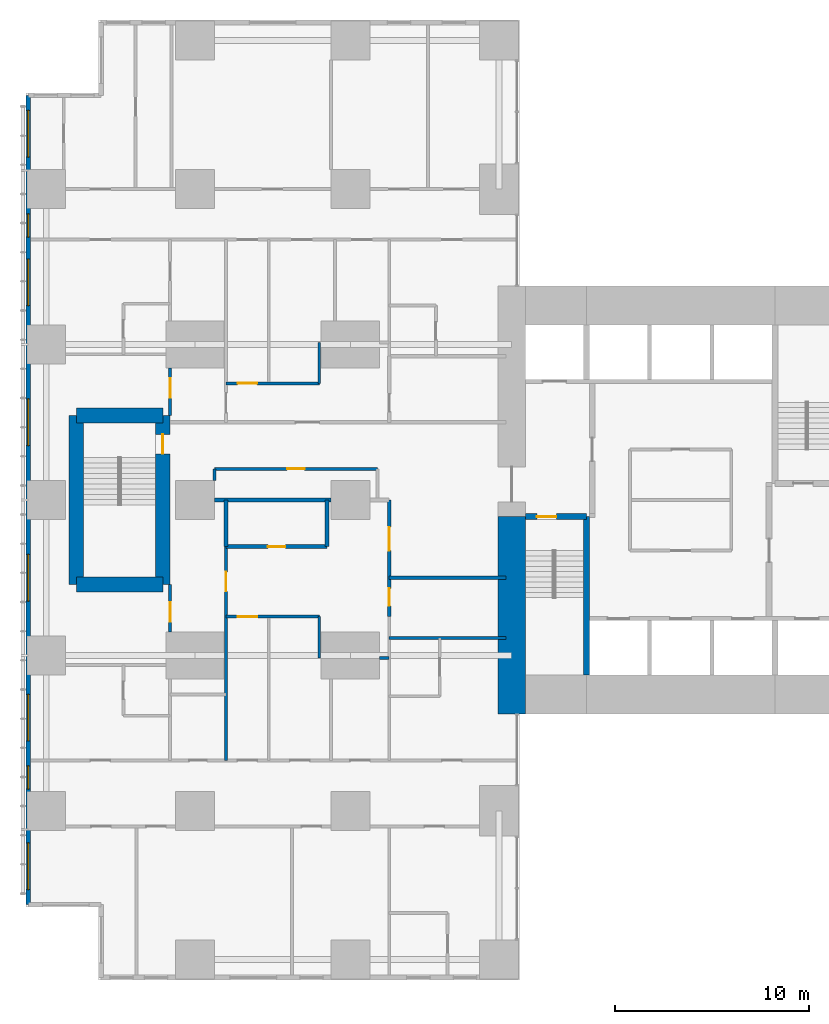
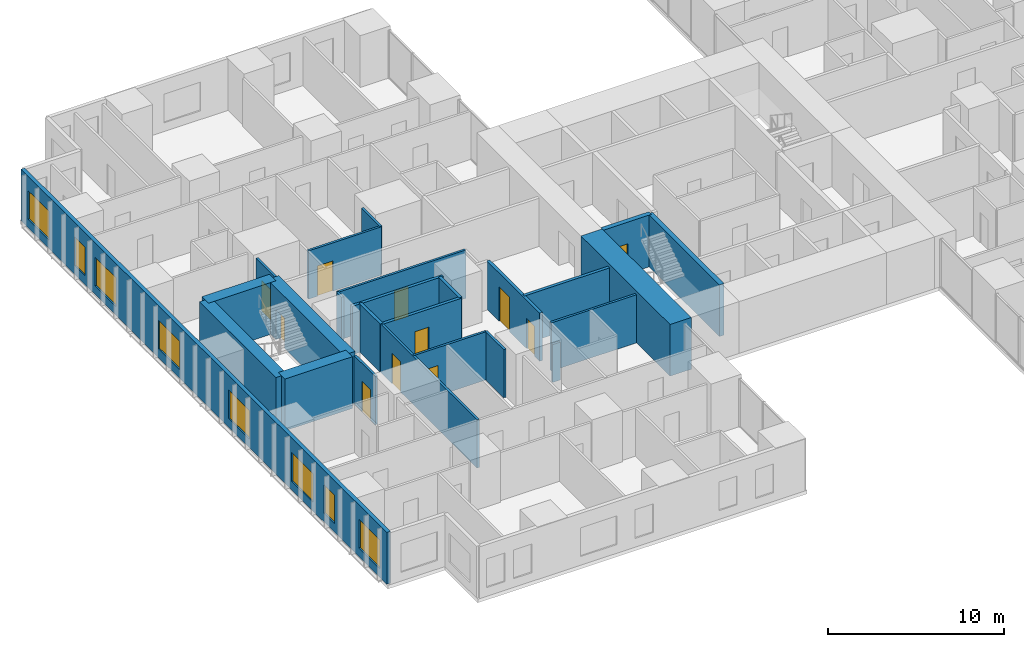
# One storey, part 13 of 21: 25 walls, 11 doors, 8 windows, 19 openings.
"""IFC4 building model written with IfcOpenShell, lengths in metres."""

from ifc_helpers import new_model, si_unit, direction, frame, frame_2d, origin, place, context, subcontext, project, spatial, rectangle, extrude, material, layer, layer_set, type_object, element, fill, save


model = new_model("IFC4")

# Units and contexts
model_context = context("Model", 3, precision=1e-05, world=origin(), true_north=direction((0.0, 1.0)))
body_context = subcontext(model_context, "Body", "Model", "MODEL_VIEW")
ifc_project = project(units=[si_unit("LENGTHUNIT", "METRE"), si_unit("AREAUNIT", "SQUARE_METRE"), si_unit("VOLUMEUNIT", "CUBIC_METRE"), si_unit("PLANEANGLEUNIT", "RADIAN"), si_unit("MASSUNIT", "GRAM", prefix="KILO")], contexts=[model_context])

# Site, building, storey
site_placement = place(None, origin())
site = spatial("IfcSite", under=ifc_project, at=site_placement, CompositionType="ELEMENT")
building_placement = place(site_placement, origin())
building = spatial("IfcBuilding", under=site, at=building_placement, Name="Cleftline Residences", CompositionType="ELEMENT")
storey_placement = place(building_placement, frame((0.0, 0.0, 58.39990234375)))
storey = spatial("IfcBuildingStorey", under=building, at=storey_placement, Name="L14", CompositionType="ELEMENT", Elevation=58.39990234375)

# Walls
ifc_material_1 = material(Name="Concrete B70", Category="concrete")
ifc_layer_1 = layer(ifc_material_1, 1.39990234375)
ifc_layer_set_1 = layer_set([ifc_layer_1], Name="CORE WALL 1400")
wall_type_1 = type_object("IfcWallType", Name="CORE WALL 1400", PredefinedType="SHEAR", material=ifc_layer_set_1)
wall_1_placement = place(storey_placement, frame((24.300048828125, 13.0, 0.0), z_axis=(0.0, 0.0, 1.0), x_axis=(0.0, 1.0, 0.0)))
element("IfcWall", 1, at=wall_1_placement, inside=storey, type_object=wall_type_1, Name="Core wall W0", PredefinedType="SHEAR", context=body_context, shape_type="SweptSolid", body=[
    extrude(rectangle(XDim=10.14990234375, YDim=1.39990234375, at=frame_2d((5.074951171875, 0.0))), origin(), (0.0, 0.0, 1.0), 3.60009765625),
])
ifc_material_2 = material(Name="Concrete B70", Category="concrete")
ifc_layer_2 = layer(ifc_material_2, 0.300048828125)
ifc_layer_set_2 = layer_set([ifc_layer_2], Name="CORE WALL 300")
wall_type_2 = type_object("IfcWallType", Name="CORE WALL 300", PredefinedType="SHEAR", material=ifc_layer_set_2)
wall_2_placement = place(storey_placement, frame((28.14990234375, 15.0, 0.0), z_axis=(0.0, 0.0, 1.0), x_axis=(0.0, 1.0, 0.0)))
element("IfcWall", 2, at=wall_2_placement, inside=storey, type_object=wall_type_2, Name="Core wall SA-E", PredefinedType="SHEAR", context=body_context, shape_type="SweptSolid", body=[
    extrude(rectangle(XDim=8.14990234375, YDim=0.300048828125, at=frame_2d((4.074951171875, 0.0))), origin(), (0.0, 0.0, 1.0), 3.60009765625),
])

# Wall, opening, door
wall_3_placement = place(storey_placement, frame((25.0, 23.14990234375, 0.0), z_axis=(0.0, 0.0, 1.0), x_axis=(1.0, 0.0, 0.0)))
wall_3 = element("IfcWall", 3, at=wall_3_placement, inside=storey, type_object=wall_type_2, Name="Core wall SA-N", PredefinedType="SHEAR", context=body_context, shape_type="SweptSolid", body=[
    extrude(rectangle(XDim=3.14990234375, YDim=0.300048828125, at=frame_2d((1.574951171875, 0.0))), origin(), (0.0, 0.0, 1.0), 3.60009765625),
])
opening_1_placement = place(wall_3_placement, frame((0.60009765625, 0.0, 0.0)))
opening_1 = element("IfcOpeningElement", 4, at=opening_1_placement, cuts=wall_3, Name="Opening D5", PredefinedType="OPENING", context=body_context, shape_type="SweptSolid", body=[
    extrude(rectangle(XDim=1.0, YDim=2.10009765625, at=frame_2d((0.5, 1.050048828125))), frame((0.0, 0.159912109375, 0.0), z_axis=(0.0, -1.0, 0.0), x_axis=(1.0, 0.0, 0.0)), (0.0, 0.0, 1.0), 0.320068359375),
])
ifc_material_3 = material(Name="Steel", Category="steel")
door_type_1 = type_object("IfcDoorType", Name="STAIR DOOR 1000X2100", OperationType="SINGLE_SWING_LEFT", PredefinedType="DOOR", material=ifc_material_3)
door_1_placement = place(opening_1_placement, origin())
door_1 = element("IfcDoor", 5, at=door_1_placement, inside=storey, type_object=door_type_1, Name="Stair A door", OperationType="SINGLE_SWING_RIGHT", OverallHeight=2.10009765625, OverallWidth=1.0, PredefinedType="DOOR", context=body_context, shape_type="SweptSolid", body=[
    extrude(rectangle(XDim=1.0, YDim=2.10009765625, at=frame_2d((0.5, 1.050048828125))), frame((0.0, 0.02490234375, 0.0), z_axis=(0.0, -1.0, 0.0), x_axis=(1.0, 0.0, 0.0)), (0.0, 0.0, 1.0), 0.050048828125),
])
fill(opening_1, door_1)

# Wall, openings, windows
ifc_material_4 = material(Name="Rendered reinforced concrete blockwork", Category="masonry")
ifc_layer_3 = layer(ifc_material_4, 0.25)
ifc_layer_set_3 = layer_set([ifc_layer_3], Name="EXTERNAL WALL 250")
wall_type_3 = type_object("IfcWallType", Name="EXTERNAL WALL 250", PredefinedType="SOLIDWALL", material=ifc_layer_set_3)
wall_4_placement = place(storey_placement, frame((-0.574951171875, 44.824951171875, 0.0), z_axis=(0.0, 0.0, 1.0), x_axis=(0.0, -1.0, 0.0)))
wall_4 = element("IfcWall", 6, at=wall_4_placement, inside=storey, type_object=wall_type_3, Name="External wall", PredefinedType="SOLIDWALL", context=body_context, shape_type="SweptSolid", body=[
    extrude(rectangle(XDim=41.64990234375, YDim=0.25, at=frame_2d((20.824951171875, 0.0))), origin(), (0.0, 0.0, 1.0), 3.60009765625),
])
opening_2_placement = place(wall_4_placement, frame((0.77490234375, 0.0, 0.60009765625)))
opening_2 = element("IfcOpeningElement", 7, at=opening_2_placement, cuts=wall_4, Name="Opening W6", PredefinedType="OPENING", context=body_context, shape_type="SweptSolid", body=[
    extrude(rectangle(XDim=2.39990234375, YDim=2.0, at=frame_2d((1.199951171875, 1.0))), frame((0.0, 0.135009765625, 0.0), z_axis=(0.0, -1.0, 0.0), x_axis=(1.0, 0.0, 0.0)), (0.0, 0.0, 1.0), 0.27001953125),
])
opening_3_placement = place(wall_4_placement, frame((6.10009765625, 0.0, 0.60009765625)))
opening_3 = element("IfcOpeningElement", 8, at=opening_3_placement, cuts=wall_4, Name="Opening W8", PredefinedType="OPENING", context=body_context, shape_type="SweptSolid", body=[
    extrude(rectangle(XDim=1.199951171875, YDim=2.0, at=frame_2d((0.60009765625, 1.0))), frame((0.0, 0.135009765625, 0.0), z_axis=(0.0, -1.0, 0.0), x_axis=(1.0, 0.0, 0.0)), (0.0, 0.0, 1.0), 0.27001953125),
])
opening_4_placement = place(wall_4_placement, frame((8.425048828125, 0.0, 0.60009765625)))
opening_4 = element("IfcOpeningElement", 9, at=opening_4_placement, cuts=wall_4, Name="Opening W6", PredefinedType="OPENING", context=body_context, shape_type="SweptSolid", body=[
    extrude(rectangle(XDim=2.39990234375, YDim=2.0, at=frame_2d((1.199951171875, 1.0))), frame((0.0, 0.135009765625, 0.0), z_axis=(0.0, -1.0, 0.0), x_axis=(1.0, 0.0, 0.0)), (0.0, 0.0, 1.0), 0.27001953125),
])
opening_5_placement = place(wall_4_placement, frame((15.625, 0.0, 0.60009765625)))
opening_5 = element("IfcOpeningElement", 10, at=opening_5_placement, cuts=wall_4, Name="Opening W6", PredefinedType="OPENING", context=body_context, shape_type="SweptSolid", body=[
    extrude(rectangle(XDim=2.39990234375, YDim=2.0, at=frame_2d((1.199951171875, 1.0))), frame((0.0, 0.135009765625, 0.0), z_axis=(0.0, -1.0, 0.0), x_axis=(1.0, 0.0, 0.0)), (0.0, 0.0, 1.0), 0.27001953125),
])
opening_6_placement = place(wall_4_placement, frame((23.625, 0.0, 0.60009765625)))
opening_6 = element("IfcOpeningElement", 11, at=opening_6_placement, cuts=wall_4, Name="Opening W6", PredefinedType="OPENING", context=body_context, shape_type="SweptSolid", body=[
    extrude(rectangle(XDim=2.39990234375, YDim=2.0, at=frame_2d((1.199951171875, 1.0))), frame((0.0, 0.135009765625, 0.0), z_axis=(0.0, -1.0, 0.0), x_axis=(1.0, 0.0, 0.0)), (0.0, 0.0, 1.0), 0.27001953125),
])
opening_7_placement = place(wall_4_placement, frame((30.824951171875, 0.0, 0.60009765625)))
opening_7 = element("IfcOpeningElement", 12, at=opening_7_placement, cuts=wall_4, Name="Opening W6", PredefinedType="OPENING", context=body_context, shape_type="SweptSolid", body=[
    extrude(rectangle(XDim=2.39990234375, YDim=2.0, at=frame_2d((1.199951171875, 1.0))), frame((0.0, 0.135009765625, 0.0), z_axis=(0.0, -1.0, 0.0), x_axis=(1.0, 0.0, 0.0)), (0.0, 0.0, 1.0), 0.27001953125),
])
opening_8_placement = place(wall_4_placement, frame((34.5, 0.0, 0.60009765625)))
opening_8 = element("IfcOpeningElement", 13, at=opening_8_placement, cuts=wall_4, Name="Opening W8", PredefinedType="OPENING", context=body_context, shape_type="SweptSolid", body=[
    extrude(rectangle(XDim=1.199951171875, YDim=2.0, at=frame_2d((0.60009765625, 1.0))), frame((0.0, 0.135009765625, 0.0), z_axis=(0.0, -1.0, 0.0), x_axis=(1.0, 0.0, 0.0)), (0.0, 0.0, 1.0), 0.27001953125),
])
opening_9_placement = place(wall_4_placement, frame((38.47509765625, 0.0, 0.60009765625)))
opening_9 = element("IfcOpeningElement", 14, at=opening_9_placement, cuts=wall_4, Name="Opening W6", PredefinedType="OPENING", context=body_context, shape_type="SweptSolid", body=[
    extrude(rectangle(XDim=2.39990234375, YDim=2.0, at=frame_2d((1.199951171875, 1.0))), frame((0.0, 0.135009765625, 0.0), z_axis=(0.0, -1.0, 0.0), x_axis=(1.0, 0.0, 0.0)), (0.0, 0.0, 1.0), 0.27001953125),
])
ifc_material_5 = material(Name="Aluminium frame, clear double glazing", Category="aluminium")
window_type_1 = type_object("IfcWindowType", Name="WINDOW 1200X2000", PartitioningType="DOUBLE_PANEL_VERTICAL", PredefinedType="WINDOW", material=ifc_material_5)
window_1_placement = place(opening_3_placement, origin())
window_1 = element("IfcWindow", 15, at=window_1_placement, inside=storey, type_object=window_type_1, Name="Window", OverallHeight=2.0, OverallWidth=1.199951171875, PartitioningType="SINGLE_PANEL", PredefinedType="WINDOW", context=body_context, shape_type="SweptSolid", body=[
    extrude(rectangle(XDim=1.199951171875, YDim=2.0, at=frame_2d((0.60009765625, 1.0))), frame((0.0, 0.030029296875, 0.0), z_axis=(0.0, -1.0, 0.0), x_axis=(1.0, 0.0, 0.0)), (0.0, 0.0, 1.0), 0.06005859375),
])
fill(opening_3, window_1)
window_2_placement = place(opening_8_placement, origin())
window_2 = element("IfcWindow", 16, at=window_2_placement, inside=storey, type_object=window_type_1, Name="Window", OverallHeight=2.0, OverallWidth=1.199951171875, PartitioningType="SINGLE_PANEL", PredefinedType="WINDOW", context=body_context, shape_type="SweptSolid", body=[
    extrude(rectangle(XDim=1.199951171875, YDim=2.0, at=frame_2d((0.60009765625, 1.0))), frame((0.0, 0.030029296875, 0.0), z_axis=(0.0, -1.0, 0.0), x_axis=(1.0, 0.0, 0.0)), (0.0, 0.0, 1.0), 0.06005859375),
])
fill(opening_8, window_2)
ifc_material_6 = material(Name="Aluminium frame, clear double glazing", Category="aluminium")
window_type_2 = type_object("IfcWindowType", Name="WINDOW 2400X2000", PartitioningType="DOUBLE_PANEL_VERTICAL", PredefinedType="WINDOW", material=ifc_material_6)
window_3_placement = place(opening_2_placement, origin())
window_3 = element("IfcWindow", 17, at=window_3_placement, inside=storey, type_object=window_type_2, Name="Window", OverallHeight=2.0, OverallWidth=2.39990234375, PartitioningType="SINGLE_PANEL", PredefinedType="WINDOW", context=body_context, shape_type="SweptSolid", body=[
    extrude(rectangle(XDim=2.39990234375, YDim=2.0, at=frame_2d((1.199951171875, 1.0))), frame((0.0, 0.030029296875, 0.0), z_axis=(0.0, -1.0, 0.0), x_axis=(1.0, 0.0, 0.0)), (0.0, 0.0, 1.0), 0.06005859375),
])
fill(opening_2, window_3)
window_4_placement = place(opening_4_placement, origin())
window_4 = element("IfcWindow", 18, at=window_4_placement, inside=storey, type_object=window_type_2, Name="Window", OverallHeight=2.0, OverallWidth=2.39990234375, PartitioningType="SINGLE_PANEL", PredefinedType="WINDOW", context=body_context, shape_type="SweptSolid", body=[
    extrude(rectangle(XDim=2.39990234375, YDim=2.0, at=frame_2d((1.199951171875, 1.0))), frame((0.0, 0.030029296875, 0.0), z_axis=(0.0, -1.0, 0.0), x_axis=(1.0, 0.0, 0.0)), (0.0, 0.0, 1.0), 0.06005859375),
])
fill(opening_4, window_4)
window_5_placement = place(opening_5_placement, origin())
window_5 = element("IfcWindow", 19, at=window_5_placement, inside=storey, type_object=window_type_2, Name="Window", OverallHeight=2.0, OverallWidth=2.39990234375, PartitioningType="SINGLE_PANEL", PredefinedType="WINDOW", context=body_context, shape_type="SweptSolid", body=[
    extrude(rectangle(XDim=2.39990234375, YDim=2.0, at=frame_2d((1.199951171875, 1.0))), frame((0.0, 0.030029296875, 0.0), z_axis=(0.0, -1.0, 0.0), x_axis=(1.0, 0.0, 0.0)), (0.0, 0.0, 1.0), 0.06005859375),
])
fill(opening_5, window_5)
window_6_placement = place(opening_6_placement, origin())
window_6 = element("IfcWindow", 20, at=window_6_placement, inside=storey, type_object=window_type_2, Name="Window", OverallHeight=2.0, OverallWidth=2.39990234375, PartitioningType="SINGLE_PANEL", PredefinedType="WINDOW", context=body_context, shape_type="SweptSolid", body=[
    extrude(rectangle(XDim=2.39990234375, YDim=2.0, at=frame_2d((1.199951171875, 1.0))), frame((0.0, 0.030029296875, 0.0), z_axis=(0.0, -1.0, 0.0), x_axis=(1.0, 0.0, 0.0)), (0.0, 0.0, 1.0), 0.06005859375),
])
fill(opening_6, window_6)
window_7_placement = place(opening_7_placement, origin())
window_7 = element("IfcWindow", 21, at=window_7_placement, inside=storey, type_object=window_type_2, Name="Window", OverallHeight=2.0, OverallWidth=2.39990234375, PartitioningType="SINGLE_PANEL", PredefinedType="WINDOW", context=body_context, shape_type="SweptSolid", body=[
    extrude(rectangle(XDim=2.39990234375, YDim=2.0, at=frame_2d((1.199951171875, 1.0))), frame((0.0, 0.030029296875, 0.0), z_axis=(0.0, -1.0, 0.0), x_axis=(1.0, 0.0, 0.0)), (0.0, 0.0, 1.0), 0.06005859375),
])
fill(opening_7, window_7)
window_8_placement = place(opening_9_placement, origin())
window_8 = element("IfcWindow", 22, at=window_8_placement, inside=storey, type_object=window_type_2, Name="Window", OverallHeight=2.0, OverallWidth=2.39990234375, PartitioningType="SINGLE_PANEL", PredefinedType="WINDOW", context=body_context, shape_type="SweptSolid", body=[
    extrude(rectangle(XDim=2.39990234375, YDim=2.0, at=frame_2d((1.199951171875, 1.0))), frame((0.0, 0.030029296875, 0.0), z_axis=(0.0, -1.0, 0.0), x_axis=(1.0, 0.0, 0.0)), (0.0, 0.0, 1.0), 0.06005859375),
])
fill(opening_9, window_8)

# Wall
ifc_material_7 = material(Name="Concrete blockwork, fire rated", Category="masonry")
ifc_layer_4 = layer(ifc_material_7, 0.199951171875)
ifc_layer_set_4 = layer_set([ifc_layer_4], Name="FIRE WALL 200")
wall_type_4 = type_object("IfcWallType", Name="FIRE WALL 200", PredefinedType="PARTITIONING", material=ifc_layer_set_4)
wall_5_placement = place(storey_placement, frame((18.0, 20.0, 0.0), z_axis=(0.0, 0.0, 1.0), x_axis=(1.0, 0.0, 0.0)))
element("IfcWall", 23, at=wall_5_placement, inside=storey, type_object=wall_type_4, Name="Fire separating wall", PredefinedType="PARTITIONING", context=body_context, shape_type="SweptSolid", body=[
    extrude(rectangle(XDim=6.0, YDim=0.199951171875, at=frame_2d((3.0, 0.0))), origin(), (0.0, 0.0, 1.0), 3.35009765625),
])

# Wall, opening, door
wall_6_placement = place(storey_placement, frame((9.60009765625, 21.60009765625, 0.0), z_axis=(0.0, 0.0, 1.0), x_axis=(1.0, 0.0, 0.0)))
wall_6 = element("IfcWall", 24, at=wall_6_placement, inside=storey, type_object=wall_type_4, Name="Fire separating wall", PredefinedType="PARTITIONING", context=body_context, shape_type="SweptSolid", body=[
    extrude(rectangle(XDim=5.199951171875, YDim=0.199951171875, at=frame_2d((2.60009765625, 0.0))), origin(), (0.0, 0.0, 1.0), 3.35009765625),
])
opening_10_placement = place(wall_6_placement, frame((2.14990234375, 0.0, 0.0)))
opening_10 = element("IfcOpeningElement", 25, at=opening_10_placement, cuts=wall_6, Name="Opening D1F30", PredefinedType="OPENING", context=body_context, shape_type="SweptSolid", body=[
    extrude(rectangle(XDim=0.89990234375, YDim=2.10009765625, at=frame_2d((0.449951171875, 1.050048828125))), frame((0.0, 0.10986328125, 0.0), z_axis=(0.0, -1.0, 0.0), x_axis=(1.0, 0.0, 0.0)), (0.0, 0.0, 1.0), 0.219970703125),
])
ifc_material_8 = material(Name="Timber veneer on solid core", Category="wood")
door_type_2 = type_object("IfcDoorType", Name="DOOR 900X2100 EI 30", OperationType="SINGLE_SWING_LEFT", PredefinedType="DOOR", material=ifc_material_8)
door_2_placement = place(opening_10_placement, origin())
door_2 = element("IfcDoor", 26, at=door_2_placement, inside=storey, type_object=door_type_2, Name="Door to cloakroom wc", OperationType="SINGLE_SWING_LEFT", OverallHeight=2.10009765625, OverallWidth=0.89990234375, PredefinedType="DOOR", context=body_context, shape_type="SweptSolid", body=[
    extrude(rectangle(XDim=0.89990234375, YDim=2.10009765625, at=frame_2d((0.449951171875, 1.050048828125))), frame((0.0, 0.02490234375, 0.0), z_axis=(0.0, -1.0, 0.0), x_axis=(1.0, 0.0, 0.0)), (0.0, 0.0, 1.0), 0.050048828125),
])
fill(opening_10, door_2)

# Walls
wall_7_placement = place(storey_placement, frame((9.0, 24.0, 0.0), z_axis=(0.0, 0.0, 1.0), x_axis=(1.0, 0.0, 0.0)))
element("IfcWall", 27, at=wall_7_placement, inside=storey, type_object=wall_type_4, Name="Fire separating wall", PredefinedType="PARTITIONING", context=body_context, shape_type="SweptSolid", body=[
    extrude(rectangle(XDim=6.0, YDim=0.199951171875, at=frame_2d((3.0, 0.0))), origin(), (0.0, 0.0, 1.0), 3.35009765625),
])
for number, where, z_axis, x_axis, name in (
    (28, (9.60009765625, 21.60009765625, 0.0), (0.0, 0.0, 1.0), (0.0, 1.0, 0.0), "Fire separating wall"),
    (29, (14.800048828125, 21.60009765625, 0.0), (0.0, 0.0, 1.0), (0.0, 1.0, 0.0), "Fire separating wall"),
):
    element("IfcWall", number, at=place(storey_placement, frame(where, z_axis=z_axis, x_axis=x_axis)), inside=storey, type_object=wall_type_4, Name=name, PredefinedType="PARTITIONING", context=body_context, shape_type="SweptSolid", body=[
        extrude(rectangle(XDim=2.39990234375, YDim=0.199951171875, at=frame_2d((1.199951171875, 0.0))), origin(), (0.0, 0.0, 1.0), 3.35009765625),
    ])

# Wall, openings, doors
wall_8_placement = place(storey_placement, frame((18.0, 18.0, 0.0), z_axis=(0.0, 0.0, 1.0), x_axis=(0.0, 1.0, 0.0)))
wall_8 = element("IfcWall", 30, at=wall_8_placement, inside=storey, type_object=wall_type_4, Name="Fire separating wall", PredefinedType="PARTITIONING", context=body_context, shape_type="SweptSolid", body=[
    extrude(rectangle(XDim=6.0, YDim=0.199951171875, at=frame_2d((3.0, 0.0))), origin(), (0.0, 0.0, 1.0), 3.35009765625),
])
opening_11_placement = place(wall_8_placement, frame((3.39990234375, 0.0, 0.0)))
opening_11 = element("IfcOpeningElement", 31, at=opening_11_placement, cuts=wall_8, Name="Opening D4", PredefinedType="OPENING", context=body_context, shape_type="SweptSolid", body=[
    extrude(rectangle(XDim=1.199951171875, YDim=2.39990234375, at=frame_2d((0.60009765625, 1.199951171875))), frame((0.0, 0.10986328125, 0.0), z_axis=(0.0, -1.0, 0.0), x_axis=(1.0, 0.0, 0.0)), (0.0, 0.0, 1.0), 0.219970703125),
])
opening_12_placement = place(wall_8_placement, frame((0.550048828125, 0.0, 0.0)))
opening_12 = element("IfcOpeningElement", 32, at=opening_12_placement, cuts=wall_8, Name="Opening D1F30", PredefinedType="OPENING", context=body_context, shape_type="SweptSolid", body=[
    extrude(rectangle(XDim=0.89990234375, YDim=2.10009765625, at=frame_2d((0.449951171875, 1.050048828125))), frame((0.0, 0.10986328125, 0.0), z_axis=(0.0, -1.0, 0.0), x_axis=(1.0, 0.0, 0.0)), (0.0, 0.0, 1.0), 0.219970703125),
])
ifc_material_9 = material(Name="Timber veneer on solid core", Category="wood")
door_type_3 = type_object("IfcDoorType", Name="APARTMENT ENTRANCE DOOR 1200X2400", OperationType="SINGLE_SWING_RIGHT", PredefinedType="DOOR", material=ifc_material_9)
door_3_placement = place(opening_11_placement, origin())
door_3 = element("IfcDoor", 33, at=door_3_placement, inside=storey, type_object=door_type_3, Name="Door to residence entrance foyer", OperationType="SINGLE_SWING_LEFT", OverallHeight=2.39990234375, OverallWidth=1.199951171875, PredefinedType="DOOR", context=body_context, shape_type="SweptSolid", body=[
    extrude(rectangle(XDim=1.199951171875, YDim=2.39990234375, at=frame_2d((0.60009765625, 1.199951171875))), frame((0.0, 0.02490234375, 0.0), z_axis=(0.0, -1.0, 0.0), x_axis=(1.0, 0.0, 0.0)), (0.0, 0.0, 1.0), 0.050048828125),
])
fill(opening_11, door_3)
door_4_placement = place(opening_12_placement, origin())
door_4 = element("IfcDoor", 34, at=door_4_placement, inside=storey, type_object=door_type_2, Name="Door to laundry", OperationType="SINGLE_SWING_RIGHT", OverallHeight=2.10009765625, OverallWidth=0.89990234375, PredefinedType="DOOR", context=body_context, shape_type="SweptSolid", body=[
    extrude(rectangle(XDim=0.89990234375, YDim=2.10009765625, at=frame_2d((0.449951171875, 1.050048828125))), frame((0.0, 0.02490234375, 0.0), z_axis=(0.0, -1.0, 0.0), x_axis=(1.0, 0.0, 0.0)), (0.0, 0.0, 1.0), 0.050048828125),
])
fill(opening_12, door_4)

# Walls
ifc_material_10 = material(Name="Gypsum board on steel studs", Category="steel")
ifc_layer_5 = layer(ifc_material_10, 0.14990234375)
ifc_layer_set_5 = layer_set([ifc_layer_5], Name="PARTITION 150")
wall_type_5 = type_object("IfcWallType", Name="PARTITION 150", PredefinedType="PARTITIONING", material=ifc_layer_set_5)
wall_9_placement = place(storey_placement, frame((17.5, 15.875, 0.0), z_axis=(0.0, 0.0, 1.0), x_axis=(1.0, 0.0, 0.0)))
element("IfcWall", 35, at=wall_9_placement, inside=storey, type_object=wall_type_5, Name="Partition", PredefinedType="PARTITIONING", context=body_context, shape_type="SweptSolid", body=[
    extrude(rectangle(XDim=0.5, YDim=0.14990234375, at=frame_2d((0.25, 0.0))), origin(), (0.0, 0.0, 1.0), 2.634033203125),
])
wall_10_placement = place(storey_placement, frame((18.0, 16.89990234375, 0.0), z_axis=(0.0, 0.0, 1.0), x_axis=(1.0, 0.0, 0.0)))
element("IfcWall", 36, at=wall_10_placement, inside=storey, type_object=wall_type_5, Name="Partition", PredefinedType="PARTITIONING", context=body_context, shape_type="SweptSolid", body=[
    extrude(rectangle(XDim=6.0, YDim=0.14990234375, at=frame_2d((3.0, 0.0))), origin(), (0.0, 0.0, 1.0), 3.35009765625),
])

# Wall, opening, door
wall_11_placement = place(storey_placement, frame((9.60009765625, 18.0, 0.0), z_axis=(0.0, 0.0, 1.0), x_axis=(1.0, 0.0, 0.0)))
wall_11 = element("IfcWall", 37, at=wall_11_placement, inside=storey, type_object=wall_type_5, Name="Partition", PredefinedType="PARTITIONING", context=body_context, shape_type="SweptSolid", body=[
    extrude(rectangle(XDim=4.7998046875, YDim=0.14990234375, at=frame_2d((2.39990234375, 0.0))), origin(), (0.0, 0.0, 1.0), 3.35009765625),
])
opening_13_placement = place(wall_11_placement, frame((0.60009765625, 0.0, 0.0)))
opening_13 = element("IfcOpeningElement", 38, at=opening_13_placement, cuts=wall_11, Name="Opening D2", PredefinedType="OPENING", context=body_context, shape_type="SweptSolid", body=[
    extrude(rectangle(XDim=1.0, YDim=2.10009765625, at=frame_2d((0.5, 1.050048828125))), frame((0.0, 0.0849609375, 0.0), z_axis=(0.0, -1.0, 0.0), x_axis=(1.0, 0.0, 0.0)), (0.0, 0.0, 1.0), 0.169921875),
])
ifc_material_11 = material(Name="Timber veneer on solid core", Category="wood")
door_type_4 = type_object("IfcDoorType", Name="DOOR 1000X2100", OperationType="SINGLE_SWING_LEFT", PredefinedType="DOOR", material=ifc_material_11)
door_5_placement = place(opening_13_placement, origin())
door_5 = element("IfcDoor", 39, at=door_5_placement, inside=storey, type_object=door_type_4, Name="Door to residence passage", OperationType="SINGLE_SWING_RIGHT", OverallHeight=2.10009765625, OverallWidth=1.0, PredefinedType="DOOR", context=body_context, shape_type="SweptSolid", body=[
    extrude(rectangle(XDim=1.0, YDim=2.10009765625, at=frame_2d((0.5, 1.050048828125))), frame((0.0, 0.02490234375, 0.0), z_axis=(0.0, -1.0, 0.0), x_axis=(1.0, 0.0, 0.0)), (0.0, 0.0, 1.0), 0.050048828125),
])
fill(opening_13, door_5)

wall_12_placement = place(storey_placement, frame((9.0, 25.60009765625, 0.0), z_axis=(0.0, 0.0, 1.0), x_axis=(1.0, 0.0, 0.0)))
wall_12 = element("IfcWall", 40, at=wall_12_placement, inside=storey, type_object=wall_type_5, Name="Partition", PredefinedType="PARTITIONING", context=body_context, shape_type="SweptSolid", body=[
    extrude(rectangle(XDim=8.39990234375, YDim=0.14990234375, at=frame_2d((4.199951171875, 0.0))), origin(), (0.0, 0.0, 1.0), 3.35009765625),
])
opening_14_placement = place(wall_12_placement, frame((3.75, 0.0, 0.0)))
opening_14 = element("IfcOpeningElement", 41, at=opening_14_placement, cuts=wall_12, Name="Opening D1", PredefinedType="OPENING", context=body_context, shape_type="SweptSolid", body=[
    extrude(rectangle(XDim=0.89990234375, YDim=2.10009765625, at=frame_2d((0.449951171875, 1.050048828125))), frame((0.0, 0.0849609375, 0.0), z_axis=(0.0, -1.0, 0.0), x_axis=(1.0, 0.0, 0.0)), (0.0, 0.0, 1.0), 0.169921875),
])
ifc_material_12 = material(Name="Timber veneer on solid core", Category="wood")
door_type_5 = type_object("IfcDoorType", Name="DOOR 900X2100", OperationType="SINGLE_SWING_LEFT", PredefinedType="DOOR", material=ifc_material_12)
door_6_placement = place(opening_14_placement, origin())
door_6 = element("IfcDoor", 42, at=door_6_placement, inside=storey, type_object=door_type_5, Name="Door to residents' locker room", OperationType="SINGLE_SWING_LEFT", OverallHeight=2.10009765625, OverallWidth=0.89990234375, PredefinedType="DOOR", context=body_context, shape_type="SweptSolid", body=[
    extrude(rectangle(XDim=0.89990234375, YDim=2.10009765625, at=frame_2d((0.449951171875, 1.050048828125))), frame((0.0, 0.02490234375, 0.0), z_axis=(0.0, -1.0, 0.0), x_axis=(1.0, 0.0, 0.0)), (0.0, 0.0, 1.0), 0.050048828125),
])
fill(opening_14, door_6)

wall_13_placement = place(storey_placement, frame((9.60009765625, 30.0, 0.0), z_axis=(0.0, 0.0, 1.0), x_axis=(1.0, 0.0, 0.0)))
wall_13 = element("IfcWall", 43, at=wall_13_placement, inside=storey, type_object=wall_type_5, Name="Partition", PredefinedType="PARTITIONING", context=body_context, shape_type="SweptSolid", body=[
    extrude(rectangle(XDim=4.7998046875, YDim=0.14990234375, at=frame_2d((2.39990234375, 0.0))), origin(), (0.0, 0.0, 1.0), 3.35009765625),
])
opening_15_placement = place(wall_13_placement, frame((0.60009765625, 0.0, 0.0)))
opening_15 = element("IfcOpeningElement", 44, at=opening_15_placement, cuts=wall_13, Name="Opening D2", PredefinedType="OPENING", context=body_context, shape_type="SweptSolid", body=[
    extrude(rectangle(XDim=1.0, YDim=2.10009765625, at=frame_2d((0.5, 1.050048828125))), frame((0.0, 0.0849609375, 0.0), z_axis=(0.0, -1.0, 0.0), x_axis=(1.0, 0.0, 0.0)), (0.0, 0.0, 1.0), 0.169921875),
])
door_7_placement = place(opening_15_placement, origin())
door_7 = element("IfcDoor", 45, at=door_7_placement, inside=storey, type_object=door_type_4, Name="Door to residence passage", OperationType="SINGLE_SWING_RIGHT", OverallHeight=2.10009765625, OverallWidth=1.0, PredefinedType="DOOR", context=body_context, shape_type="SweptSolid", body=[
    extrude(rectangle(XDim=1.0, YDim=2.10009765625, at=frame_2d((0.5, 1.050048828125))), frame((0.0, 0.02490234375, 0.0), z_axis=(0.0, -1.0, 0.0), x_axis=(1.0, 0.0, 0.0)), (0.0, 0.0, 1.0), 0.050048828125),
])
fill(opening_15, door_7)

wall_14_placement = place(storey_placement, frame((6.72509765625, 17.199951171875, 0.0), z_axis=(0.0, 0.0, 1.0), x_axis=(0.0, 1.0, 0.0)))
wall_14 = element("IfcWall", 46, at=wall_14_placement, inside=storey, type_object=wall_type_5, Name="Partition", PredefinedType="PARTITIONING", context=body_context, shape_type="SweptSolid", body=[
    extrude(rectangle(XDim=2.449951171875, YDim=0.14990234375, at=frame_2d((1.22509765625, 0.0))), origin(), (0.0, 0.0, 1.0), 3.35009765625),
])
opening_16_placement = place(wall_14_placement, frame((0.53759765625, 0.0, 0.0)))
opening_16 = element("IfcOpeningElement", 47, at=opening_16_placement, cuts=wall_14, Name="Opening D2", PredefinedType="OPENING", context=body_context, shape_type="SweptSolid", body=[
    extrude(rectangle(XDim=1.0, YDim=2.10009765625, at=frame_2d((0.5, 1.050048828125))), frame((0.0, 0.0849609375, 0.0), z_axis=(0.0, -1.0, 0.0), x_axis=(1.0, 0.0, 0.0)), (0.0, 0.0, 1.0), 0.169921875),
])
door_8_placement = place(opening_16_placement, origin())
door_8 = element("IfcDoor", 48, at=door_8_placement, inside=storey, type_object=door_type_4, Name="Door to staff bedroom", OperationType="SINGLE_SWING_RIGHT", OverallHeight=2.10009765625, OverallWidth=1.0, PredefinedType="DOOR", context=body_context, shape_type="SweptSolid", body=[
    extrude(rectangle(XDim=1.0, YDim=2.10009765625, at=frame_2d((0.5, 1.050048828125))), frame((0.0, 0.02490234375, 0.0), z_axis=(0.0, -1.0, 0.0), x_axis=(1.0, 0.0, 0.0)), (0.0, 0.0, 1.0), 0.050048828125),
])
fill(opening_16, door_8)

wall_15_placement = place(storey_placement, frame((6.72509765625, 28.35009765625, 0.0), z_axis=(0.0, 0.0, 1.0), x_axis=(0.0, 1.0, 0.0)))
wall_15 = element("IfcWall", 49, at=wall_15_placement, inside=storey, type_object=wall_type_5, Name="Partition", PredefinedType="PARTITIONING", context=body_context, shape_type="SweptSolid", body=[
    extrude(rectangle(XDim=2.449951171875, YDim=0.14990234375, at=frame_2d((1.22509765625, 0.0))), origin(), (0.0, 0.0, 1.0), 3.35009765625),
])
opening_17_placement = place(wall_15_placement, frame((0.91259765625, 0.0, 0.0)))
opening_17 = element("IfcOpeningElement", 50, at=opening_17_placement, cuts=wall_15, Name="Opening D2", PredefinedType="OPENING", context=body_context, shape_type="SweptSolid", body=[
    extrude(rectangle(XDim=1.0, YDim=2.10009765625, at=frame_2d((0.5, 1.050048828125))), frame((0.0, 0.0849609375, 0.0), z_axis=(0.0, -1.0, 0.0), x_axis=(1.0, 0.0, 0.0)), (0.0, 0.0, 1.0), 0.169921875),
])
door_9_placement = place(opening_17_placement, origin())
door_9 = element("IfcDoor", 51, at=door_9_placement, inside=storey, type_object=door_type_4, Name="Door to altar room", OperationType="SINGLE_SWING_LEFT", OverallHeight=2.10009765625, OverallWidth=1.0, PredefinedType="DOOR", context=body_context, shape_type="SweptSolid", body=[
    extrude(rectangle(XDim=1.0, YDim=2.10009765625, at=frame_2d((0.5, 1.050048828125))), frame((0.0, 0.02490234375, 0.0), z_axis=(0.0, -1.0, 0.0), x_axis=(1.0, 0.0, 0.0)), (0.0, 0.0, 1.0), 0.050048828125),
])
fill(opening_17, door_9)

# Wall
wall_16_placement = place(storey_placement, frame((9.0, 25.0, 0.0), z_axis=(0.0, 0.0, 1.0), x_axis=(0.0, 1.0, 0.0)))
element("IfcWall", 52, at=wall_16_placement, inside=storey, type_object=wall_type_5, Name="Partition", PredefinedType="PARTITIONING", context=body_context, shape_type="SweptSolid", body=[
    extrude(rectangle(XDim=0.60009765625, YDim=0.14990234375, at=frame_2d((0.300048828125, 0.0))), origin(), (0.0, 0.0, 1.0), 3.35009765625),
])

# Wall, opening, door
wall_17_placement = place(storey_placement, frame((9.60009765625, 10.60009765625, 0.0), z_axis=(0.0, 0.0, 1.0), x_axis=(0.0, 1.0, 0.0)))
wall_17 = element("IfcWall", 53, at=wall_17_placement, inside=storey, type_object=wall_type_5, Name="Partition", PredefinedType="PARTITIONING", context=body_context, shape_type="SweptSolid", body=[
    extrude(rectangle(XDim=11.0, YDim=0.14990234375, at=frame_2d((5.5, 0.0))), origin(), (0.0, 0.0, 1.0), 3.35009765625),
])
opening_18_placement = place(wall_17_placement, frame((8.699951171875, 0.0, 0.0)))
opening_18 = element("IfcOpeningElement", 54, at=opening_18_placement, cuts=wall_17, Name="Opening D2F30", PredefinedType="OPENING", context=body_context, shape_type="SweptSolid", body=[
    extrude(rectangle(XDim=1.0, YDim=2.10009765625, at=frame_2d((0.5, 1.050048828125))), frame((0.0, 0.0849609375, 0.0), z_axis=(0.0, -1.0, 0.0), x_axis=(1.0, 0.0, 0.0)), (0.0, 0.0, 1.0), 0.169921875),
])
ifc_material_13 = material(Name="Timber veneer on solid core", Category="wood")
door_type_6 = type_object("IfcDoorType", Name="DOOR 1000X2100 EI 30", OperationType="SINGLE_SWING_LEFT", PredefinedType="DOOR", material=ifc_material_13)
door_10_placement = place(opening_18_placement, origin())
door_10 = element("IfcDoor", 55, at=door_10_placement, inside=storey, type_object=door_type_6, Name="Door to residence lobby (service)", OperationType="SINGLE_SWING_LEFT", OverallHeight=2.10009765625, OverallWidth=1.0, PredefinedType="DOOR", context=body_context, shape_type="SweptSolid", body=[
    extrude(rectangle(XDim=1.0, YDim=2.10009765625, at=frame_2d((0.5, 1.050048828125))), frame((0.0, 0.02490234375, 0.0), z_axis=(0.0, -1.0, 0.0), x_axis=(1.0, 0.0, 0.0)), (0.0, 0.0, 1.0), 0.050048828125),
])
fill(opening_18, door_10)

# Walls
wall_18_placement = place(storey_placement, frame((14.39990234375, 15.875, 0.0), z_axis=(0.0, 0.0, 1.0), x_axis=(0.0, 1.0, 0.0)))
element("IfcWall", 56, at=wall_18_placement, inside=storey, type_object=wall_type_5, Name="Partition", PredefinedType="PARTITIONING", context=body_context, shape_type="SweptSolid", body=[
    extrude(rectangle(XDim=2.125, YDim=0.14990234375, at=frame_2d((1.0625, 0.0))), origin(), (0.0, 0.0, 1.0), 3.35009765625),
])
wall_19_placement = place(storey_placement, frame((14.39990234375, 30.0, 0.0), z_axis=(0.0, 0.0, 1.0), x_axis=(0.0, 1.0, 0.0)))
element("IfcWall", 57, at=wall_19_placement, inside=storey, type_object=wall_type_5, Name="Partition", PredefinedType="PARTITIONING", context=body_context, shape_type="SweptSolid", body=[
    extrude(rectangle(XDim=2.10009765625, YDim=0.14990234375, at=frame_2d((1.050048828125, 0.0))), origin(), (0.0, 0.0, 1.0), 3.35009765625),
])
ifc_material_14 = material(Name="Concrete B70", Category="concrete")
ifc_layer_6 = layer(ifc_material_14, 0.75)
ifc_layer_set_6 = layer_set([ifc_layer_6], Name="SHEAR WALL 750")
wall_type_6 = type_object("IfcWallType", Name="SHEAR WALL 750", PredefinedType="SHEAR", material=ifc_layer_set_6)
wall_20_placement = place(storey_placement, frame((1.89990234375, 19.64990234375, 0.0), z_axis=(0.0, 0.0, 1.0), x_axis=(1.0, 0.0, 0.0)))
element("IfcWall", 58, at=wall_20_placement, inside=storey, type_object=wall_type_6, Name="Wing shear wall", PredefinedType="SHEAR", context=body_context, shape_type="SweptSolid", body=[
    extrude(rectangle(XDim=4.4501953125, YDim=0.75, at=frame_2d((2.22509765625, 0.0))), origin(), (0.0, 0.0, 1.0), 3.60009765625),
])

# Wall, opening, door
wall_21_placement = place(storey_placement, frame((6.35009765625, 19.64990234375, 0.0), z_axis=(0.0, 0.0, 1.0), x_axis=(0.0, 1.0, 0.0)))
wall_21 = element("IfcWall", 59, at=wall_21_placement, inside=storey, type_object=wall_type_6, Name="Wing shear wall", PredefinedType="SHEAR", context=body_context, shape_type="SweptSolid", body=[
    extrude(rectangle(XDim=8.7001953125, YDim=0.75, at=frame_2d((4.35009765625, 0.0))), origin(), (0.0, 0.0, 1.0), 3.60009765625),
])
opening_19_placement = place(wall_21_placement, frame((6.72509765625, 0.0, 0.0)))
opening_19 = element("IfcOpeningElement", 60, at=opening_19_placement, cuts=wall_21, Name="Opening D5", PredefinedType="OPENING", context=body_context, shape_type="SweptSolid", body=[
    extrude(rectangle(XDim=1.0, YDim=2.10009765625, at=frame_2d((0.5, 1.050048828125))), frame((0.0, 0.385009765625, 0.0), z_axis=(0.0, -1.0, 0.0), x_axis=(1.0, 0.0, 0.0)), (0.0, 0.0, 1.0), 0.77001953125),
])
door_11_placement = place(opening_19_placement, origin())
door_11 = element("IfcDoor", 61, at=door_11_placement, inside=storey, type_object=door_type_1, Name="Stair W door", OperationType="SINGLE_SWING_LEFT", OverallHeight=2.10009765625, OverallWidth=1.0, PredefinedType="DOOR", context=body_context, shape_type="SweptSolid", body=[
    extrude(rectangle(XDim=1.0, YDim=2.10009765625, at=frame_2d((0.5, 1.050048828125))), frame((0.0, 0.02490234375, 0.0), z_axis=(0.0, -1.0, 0.0), x_axis=(1.0, 0.0, 0.0)), (0.0, 0.0, 1.0), 0.050048828125),
])
fill(opening_19, door_11)

# Walls
wall_22_placement = place(storey_placement, frame((6.35009765625, 28.35009765625, 0.0), z_axis=(0.0, 0.0, 1.0), x_axis=(-1.0, 0.0, 0.0)))
element("IfcWall", 62, at=wall_22_placement, inside=storey, type_object=wall_type_6, Name="Wing shear wall", PredefinedType="SHEAR", context=body_context, shape_type="SweptSolid", body=[
    extrude(rectangle(XDim=4.4501953125, YDim=0.75, at=frame_2d((2.22509765625, 0.0))), origin(), (0.0, 0.0, 1.0), 3.60009765625),
])
wall_23_placement = place(storey_placement, frame((1.89990234375, 28.35009765625, 0.0), z_axis=(0.0, 0.0, 1.0), x_axis=(0.0, -1.0, 0.0)))
element("IfcWall", 63, at=wall_23_placement, inside=storey, type_object=wall_type_6, Name="Wing shear wall", PredefinedType="SHEAR", context=body_context, shape_type="SweptSolid", body=[
    extrude(rectangle(XDim=8.7001953125, YDim=0.75, at=frame_2d((4.35009765625, 0.0))), origin(), (0.0, 0.0, 1.0), 3.60009765625),
])

save(model, "model.ifc")
